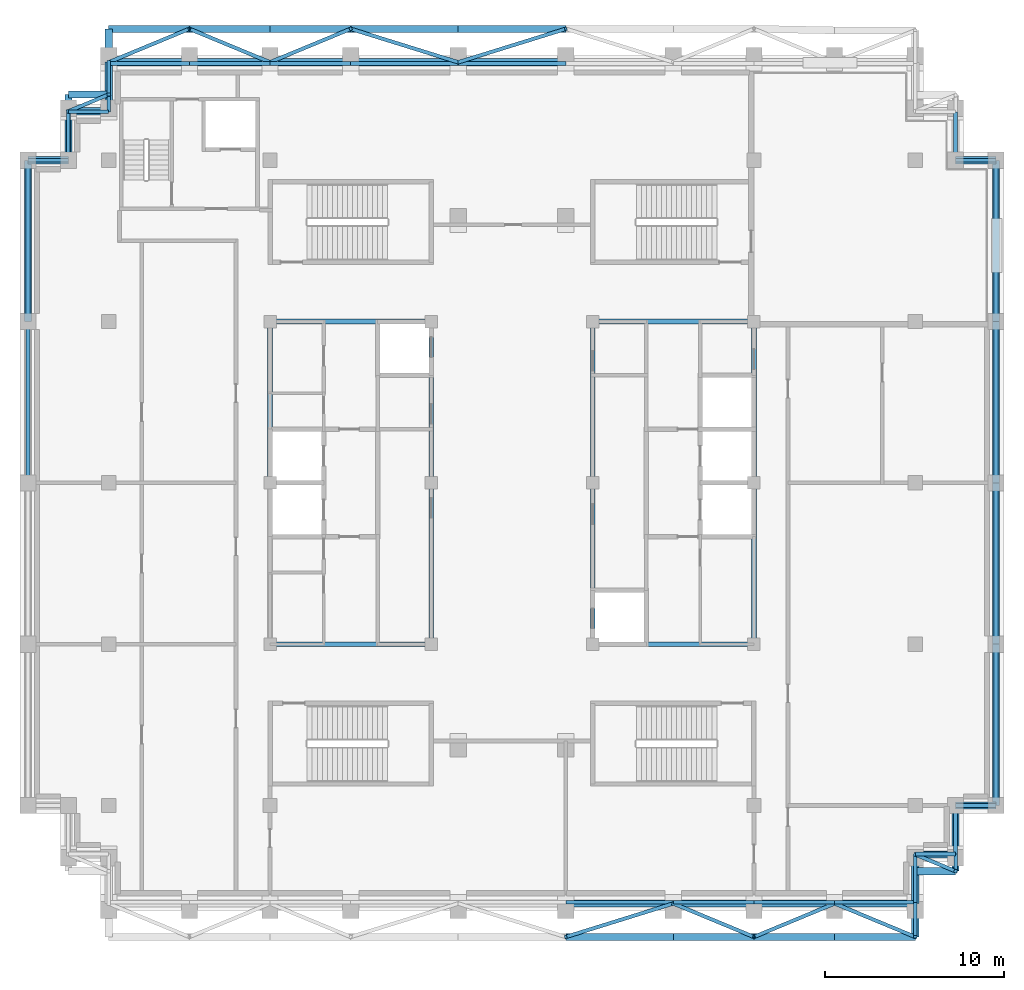
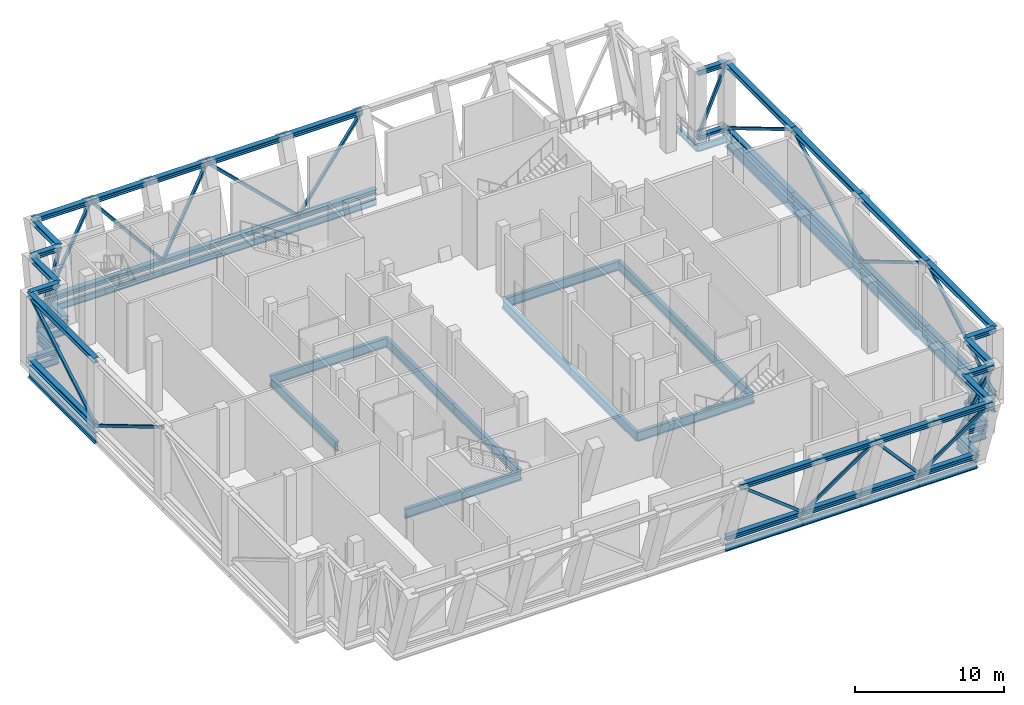
# One storey, part 2 of 9: 70 members, 35 beams.
"""IFC4 building model written with IfcOpenShell, lengths in metres."""

from ifc_helpers import new_model, si_unit, direction, frame, origin, origin_2d, place, context, subcontext, project, spatial, hollow_rectangle, i_section, extrude, material, material_profile, profile_set, type_object, element, save


model = new_model("IFC4")

# Units and contexts
model_context = context("Model", 3, precision=1e-05, world=origin(), true_north=direction((0.0, 1.0)))
body_context = subcontext(model_context, "Body", "Model", "MODEL_VIEW")
ifc_project = project(units=[si_unit("LENGTHUNIT", "METRE"), si_unit("AREAUNIT", "SQUARE_METRE"), si_unit("VOLUMEUNIT", "CUBIC_METRE"), si_unit("PLANEANGLEUNIT", "RADIAN"), si_unit("MASSUNIT", "GRAM", prefix="KILO")], contexts=[model_context])

# Site, building, storey
site_placement = place(None, origin())
site = spatial("IfcSite", under=ifc_project, at=site_placement, CompositionType="ELEMENT")
building_placement = place(site_placement, origin())
building = spatial("IfcBuilding", under=site, at=building_placement, Name="Corbelhall Arena Tower", CompositionType="ELEMENT")
storey_placement = place(building_placement, frame((0.0, 0.0, 320.0)))
storey = spatial("IfcBuildingStorey", under=building, at=storey_placement, Name="L70", CompositionType="ELEMENT", Elevation=320.0)

# Beams
ifc_material_1 = material(Name="Steel ASTM A992 Gr50", Category="steel")
ifc_material_profile_1 = material_profile(ifc_material_1, i_section(OverallWidth=0.2666015625, OverallDepth=0.761962890625, WebThickness=0.014404296875, FlangeThickness=0.021484375, at=origin_2d()))
ifc_profile_set_1 = profile_set([ifc_material_profile_1], Name="Steel ASTM A992 Gr50")
beam_type_1 = type_object("IfcBeamType", Name="ST-BEAM-W30x116", PredefinedType="BEAM", material=ifc_profile_set_1)
for number, where, z_axis, x_axis, name in (
    (1, (-13.5, 0.0, -0.791015625), (0.0, 1.0, 0.0), (-1.0, 0.0, 0.0), "Beam CEW 2"),
    (2, (-4.5, -9.0, -0.791015625), (0.0, 1.0, 0.0), (-1.0, 0.0, 0.0), "Beam CEW 3"),
    (3, (-4.5, 0.0, -0.791015625), (0.0, 1.0, 0.0), (-1.0, 0.0, 0.0), "Beam CEW 4"),
    (4, (-13.5, -9.0, -0.791015625), (1.0, 0.0, 0.0), (0.0, 1.0, 0.0), "Beam CEW 5"),
    (5, (-13.5, 9.0, -0.791015625), (1.0, 0.0, 0.0), (0.0, 1.0, 0.0), "Beam CEW 6"),
    (6, (4.5, -9.0, -0.791015625), (0.0, 1.0, 0.0), (-1.0, 0.0, 0.0), "Beam CEE 7"),
    (7, (4.5, 0.0, -0.791015625), (0.0, 1.0, 0.0), (-1.0, 0.0, 0.0), "Beam CEE 8"),
    (8, (13.5, -9.0, -0.791015625), (0.0, 1.0, 0.0), (-1.0, 0.0, 0.0), "Beam CEE 9"),
    (9, (13.5, 0.0, -0.791015625), (0.0, 1.0, 0.0), (-1.0, 0.0, 0.0), "Beam CEE 10"),
    (10, (4.5, -9.0, -0.791015625), (1.0, 0.0, 0.0), (0.0, 1.0, 0.0), "Beam CEE 11"),
    (11, (4.5, 9.0, -0.791015625), (1.0, 0.0, 0.0), (0.0, 1.0, 0.0), "Beam CEE 12"),
):
    element("IfcBeam", number, at=place(storey_placement, frame(where, z_axis=z_axis, x_axis=x_axis)), inside=storey, type_object=beam_type_1, Name=name, PredefinedType="BEAM", context=body_context, shape_type="SweptSolid", body=[
        extrude(i_section(OverallWidth=0.2666015625, OverallDepth=0.761962890625, WebThickness=0.014404296875, FlangeThickness=0.021484375, at=origin_2d()), origin(), (0.0, 0.0, 1.0), 9.0),
    ])

# Members
ifc_material_profile_2 = material_profile(ifc_material_1, i_section(OverallWidth=0.398681640625, OverallDepth=0.393798828125, WebThickness=0.022705078125, FlangeThickness=0.03662109375, at=origin_2d()))
ifc_profile_set_2 = profile_set([ifc_material_profile_2], Name="Steel ASTM A992 Gr50")
member_type_1 = type_object("IfcMemberType", Name="ST-CHORD-W14x193", PredefinedType="CHORD", material=ifc_profile_set_2)
for number, where, z_axis, x_axis, name in (
    (12, (27.0, 0.0, 0.19677734375), (0.0, -1.0, 0.0), (1.0, 0.0, 0.0), "Truss chord BC 1"),
    (13, (27.0, 0.0, 5.543212890625), (0.0, -1.0, 0.0), (1.0, 0.0, 0.0), "Truss chord TC 1"),
    (14, (27.0, 9.0, 0.19677734375), (0.0, -1.0, 0.0), (1.0, 0.0, 0.0), "Truss chord BC 2"),
    (15, (27.0, 9.0, 5.543212890625), (0.0, -1.0, 0.0), (1.0, 0.0, 0.0), "Truss chord TC 2"),
    (16, (27.0, 18.0, 0.19677734375), (0.0, -1.0, 0.0), (1.0, 0.0, 0.0), "Truss chord BC 3"),
    (17, (27.0, 18.0, 5.543212890625), (0.0, -1.0, 0.0), (1.0, 0.0, 0.0), "Truss chord TC 3"),
    (18, (27.0, -9.0, 0.19677734375), (0.0, -1.0, 0.0), (1.0, 0.0, 0.0), "Truss chord BC 4"),
    (19, (27.0, -9.0, 5.543212890625), (0.0, -1.0, 0.0), (1.0, 0.0, 0.0), "Truss chord TC 4"),
):
    element("IfcMember", number, at=place(storey_placement, frame(where, z_axis=z_axis, x_axis=x_axis)), inside=storey, type_object=member_type_1, Name=name, PredefinedType="CHORD", context=body_context, shape_type="SweptSolid", body=[
        extrude(i_section(OverallWidth=0.398681640625, OverallDepth=0.393798828125, WebThickness=0.022705078125, FlangeThickness=0.03662109375, at=origin_2d()), origin(), (0.0, 0.0, 1.0), 9.0),
    ])
for number, where, z_axis, x_axis, name in (
    (20, (27.0, -18.0, 0.19677734375), (-1.0, 0.0, 0.0), (0.0, -1.0, 0.0), "Truss chord BC 5"),
    (21, (27.0, -18.0, 5.543212890625), (-1.0, 0.0, 0.0), (0.0, -1.0, 0.0), "Truss chord TC 5"),
):
    element("IfcMember", number, at=place(storey_placement, frame(where, z_axis=z_axis, x_axis=x_axis)), inside=storey, type_object=member_type_1, Name=name, PredefinedType="CHORD", context=body_context, shape_type="SweptSolid", body=[
        extrude(i_section(OverallWidth=0.398681640625, OverallDepth=0.393798828125, WebThickness=0.022705078125, FlangeThickness=0.03662109375, at=origin_2d()), origin(), (0.0, 0.0, 1.0), 2.25),
    ])
for number, where, z_axis, x_axis, name in (
    (22, (-3.0, 23.468505859375, 0.19677734375), (1.0, 0.0, 0.0), (0.0, 1.0, 0.0), "Truss chord BC 11"),
    (23, (-3.0, 25.331298828125, 5.543212890625), (1.0, 0.0, 0.0), (0.0, 1.0, 0.0), "Truss chord TC 11"),
    (24, (-9.0, 23.468505859375, 0.19677734375), (1.0, 0.0, 0.0), (0.0, 1.0, 0.0), "Truss chord BC 12"),
    (25, (-9.0, 25.331298828125, 5.543212890625), (1.0, 0.0, 0.0), (0.0, 1.0, 0.0), "Truss chord TC 12"),
):
    element("IfcMember", number, at=place(storey_placement, frame(where, z_axis=z_axis, x_axis=x_axis)), inside=storey, type_object=member_type_1, Name=name, PredefinedType="CHORD", context=body_context, shape_type="SweptSolid", body=[
        extrude(i_section(OverallWidth=0.398681640625, OverallDepth=0.393798828125, WebThickness=0.022705078125, FlangeThickness=0.03662109375, at=origin_2d()), origin(), (0.0, 0.0, 1.0), 6.0),
    ])
for number, where, z_axis, x_axis, name in (
    (26, (-13.5, 23.468505859375, 0.19677734375), (1.0, 0.0, 0.0), (0.0, 1.0, 0.0), "Truss chord BC 13"),
    (27, (-13.5, 25.331298828125, 5.543212890625), (1.0, 0.0, 0.0), (0.0, 1.0, 0.0), "Truss chord TC 13"),
    (28, (-18.0, 23.468505859375, 0.19677734375), (1.0, 0.0, 0.0), (0.0, 1.0, 0.0), "Truss chord BC 14"),
    (29, (-18.0, 25.331298828125, 5.543212890625), (1.0, 0.0, 0.0), (0.0, 1.0, 0.0), "Truss chord TC 14"),
    (30, (-22.5, 23.468505859375, 0.19677734375), (1.0, 0.0, 0.0), (0.0, 1.0, 0.0), "Truss chord BC 15"),
    (31, (-22.5, 25.331298828125, 5.543212890625), (1.0, 0.0, 0.0), (0.0, 1.0, 0.0), "Truss chord TC 15"),
):
    element("IfcMember", number, at=place(storey_placement, frame(where, z_axis=z_axis, x_axis=x_axis)), inside=storey, type_object=member_type_1, Name=name, PredefinedType="CHORD", context=body_context, shape_type="SweptSolid", body=[
        extrude(i_section(OverallWidth=0.398681640625, OverallDepth=0.393798828125, WebThickness=0.022705078125, FlangeThickness=0.03662109375, at=origin_2d()), origin(), (0.0, 0.0, 1.0), 4.5),
    ])
for number, where, z_axis, x_axis, name in (
    (32, (9.0, -23.468505859375, 0.19677734375), (-1.0, 0.0, 0.0), (0.0, -1.0, 0.0), "Truss chord BC 17"),
    (33, (9.0, -25.331298828125, 5.543212890625), (-1.0, 0.0, 0.0), (0.0, -1.0, 0.0), "Truss chord TC 17"),
):
    element("IfcMember", number, at=place(storey_placement, frame(where, z_axis=z_axis, x_axis=x_axis)), inside=storey, type_object=member_type_1, Name=name, PredefinedType="CHORD", context=body_context, shape_type="SweptSolid", body=[
        extrude(i_section(OverallWidth=0.398681640625, OverallDepth=0.393798828125, WebThickness=0.022705078125, FlangeThickness=0.03662109375, at=origin_2d()), origin(), (0.0, 0.0, 1.0), 6.0),
    ])
for number, where, z_axis, x_axis, name in (
    (34, (13.5, -23.468505859375, 0.19677734375), (-1.0, 0.0, 0.0), (0.0, -1.0, 0.0), "Truss chord BC 18"),
    (35, (13.5, -25.331298828125, 5.543212890625), (-1.0, 0.0, 0.0), (0.0, -1.0, 0.0), "Truss chord TC 18"),
    (36, (18.0, -23.468505859375, 0.19677734375), (-1.0, 0.0, 0.0), (0.0, -1.0, 0.0), "Truss chord BC 19"),
    (37, (18.0, -25.331298828125, 5.543212890625), (-1.0, 0.0, 0.0), (0.0, -1.0, 0.0), "Truss chord TC 19"),
    (38, (22.5, -23.468505859375, 0.19677734375), (-1.0, 0.0, 0.0), (0.0, -1.0, 0.0), "Truss chord BC 20"),
    (39, (22.5, -25.331298828125, 5.543212890625), (-1.0, 0.0, 0.0), (0.0, -1.0, 0.0), "Truss chord TC 20"),
):
    element("IfcMember", number, at=place(storey_placement, frame(where, z_axis=z_axis, x_axis=x_axis)), inside=storey, type_object=member_type_1, Name=name, PredefinedType="CHORD", context=body_context, shape_type="SweptSolid", body=[
        extrude(i_section(OverallWidth=0.398681640625, OverallDepth=0.393798828125, WebThickness=0.022705078125, FlangeThickness=0.03662109375, at=origin_2d()), origin(), (0.0, 0.0, 1.0), 4.5),
    ])
for number, where, z_axis, x_axis, name in (
    (40, (-27.0, 9.0, 0.19677734375), (0.0, 1.0, 0.0), (-1.0, 0.0, 0.0), "Truss chord BC 27"),
    (41, (-27.0, 9.0, 5.543212890625), (0.0, 1.0, 0.0), (-1.0, 0.0, 0.0), "Truss chord TC 27"),
):
    element("IfcMember", number, at=place(storey_placement, frame(where, z_axis=z_axis, x_axis=x_axis)), inside=storey, type_object=member_type_1, Name=name, PredefinedType="CHORD", context=body_context, shape_type="SweptSolid", body=[
        extrude(i_section(OverallWidth=0.398681640625, OverallDepth=0.393798828125, WebThickness=0.022705078125, FlangeThickness=0.03662109375, at=origin_2d()), origin(), (0.0, 0.0, 1.0), 9.0),
    ])
for number, where, z_axis, x_axis, name in (
    (42, (-27.0, 18.0, 0.19677734375), (1.0, 0.0, 0.0), (0.0, 1.0, 0.0), "Truss chord BC 28"),
    (43, (-27.0, 18.0, 5.543212890625), (1.0, 0.0, 0.0), (0.0, 1.0, 0.0), "Truss chord TC 28"),
    (44, (24.75, 18.0, 0.19677734375), (1.0, 0.0, 0.0), (0.0, 1.0, 0.0), "Truss chord BC 33"),
    (45, (24.75, 18.0, 5.543212890625), (1.0, 0.0, 0.0), (0.0, 1.0, 0.0), "Truss chord TC 33"),
):
    element("IfcMember", number, at=place(storey_placement, frame(where, z_axis=z_axis, x_axis=x_axis)), inside=storey, type_object=member_type_1, Name=name, PredefinedType="CHORD", context=body_context, shape_type="SweptSolid", body=[
        extrude(i_section(OverallWidth=0.398681640625, OverallDepth=0.393798828125, WebThickness=0.022705078125, FlangeThickness=0.03662109375, at=origin_2d()), origin(), (0.0, 0.0, 1.0), 2.25),
    ])
member_1_placement = place(storey_placement, frame((-22.5, 20.734375, 0.19677734375), z_axis=(0.0, 1.0, 0.0), x_axis=(-1.0, 0.0, 0.0)))
element("IfcMember", 46, at=member_1_placement, inside=storey, type_object=member_type_1, Name="Truss chord BC 34", PredefinedType="CHORD", context=body_context, shape_type="SweptSolid", body=[
    extrude(i_section(OverallWidth=0.398681640625, OverallDepth=0.393798828125, WebThickness=0.022705078125, FlangeThickness=0.03662109375, at=origin_2d()), origin(), (0.0, 0.0, 1.0), 2.734130859375),
])
member_2_placement = place(storey_placement, frame((-22.5, 21.665771484375, 5.543212890625), z_axis=(0.0, 1.0, 0.0), x_axis=(-1.0, 0.0, 0.0)))
element("IfcMember", 47, at=member_2_placement, inside=storey, type_object=member_type_1, Name="Truss chord TC 34", PredefinedType="CHORD", context=body_context, shape_type="SweptSolid", body=[
    extrude(i_section(OverallWidth=0.398681640625, OverallDepth=0.393798828125, WebThickness=0.022705078125, FlangeThickness=0.03662109375, at=origin_2d()), origin(), (0.0, 0.0, 1.0), 3.66552734375),
])
for number, where, z_axis, x_axis, name in (
    (48, (-24.75, 20.734375, 0.19677734375), (1.0, 0.0, 0.0), (0.0, 1.0, 0.0), "Truss chord BC 35"),
    (49, (-24.75, 21.665771484375, 5.543212890625), (1.0, 0.0, 0.0), (0.0, 1.0, 0.0), "Truss chord TC 35"),
):
    element("IfcMember", number, at=place(storey_placement, frame(where, z_axis=z_axis, x_axis=x_axis)), inside=storey, type_object=member_type_1, Name=name, PredefinedType="CHORD", context=body_context, shape_type="SweptSolid", body=[
        extrude(i_section(OverallWidth=0.398681640625, OverallDepth=0.393798828125, WebThickness=0.022705078125, FlangeThickness=0.03662109375, at=origin_2d()), origin(), (0.0, 0.0, 1.0), 2.25),
    ])
member_3_placement = place(storey_placement, frame((-24.75, 18.0, 0.19677734375), z_axis=(0.0, 1.0, 0.0), x_axis=(-1.0, 0.0, 0.0)))
element("IfcMember", 50, at=member_3_placement, inside=storey, type_object=member_type_1, Name="Truss chord BC 36", PredefinedType="CHORD", context=body_context, shape_type="SweptSolid", body=[
    extrude(i_section(OverallWidth=0.398681640625, OverallDepth=0.393798828125, WebThickness=0.022705078125, FlangeThickness=0.03662109375, at=origin_2d()), origin(), (0.0, 0.0, 1.0), 2.734375),
])
member_4_placement = place(storey_placement, frame((-24.75, 18.0, 5.543212890625), z_axis=(0.0, 1.0, 0.0), x_axis=(-1.0, 0.0, 0.0)))
element("IfcMember", 51, at=member_4_placement, inside=storey, type_object=member_type_1, Name="Truss chord TC 36", PredefinedType="CHORD", context=body_context, shape_type="SweptSolid", body=[
    extrude(i_section(OverallWidth=0.398681640625, OverallDepth=0.393798828125, WebThickness=0.022705078125, FlangeThickness=0.03662109375, at=origin_2d()), origin(), (0.0, 0.0, 1.0), 3.665771484375),
])
member_5_placement = place(storey_placement, frame((22.5, -20.734375, 0.19677734375), z_axis=(0.0, -1.0, 0.0), x_axis=(1.0, 0.0, 0.0)))
element("IfcMember", 52, at=member_5_placement, inside=storey, type_object=member_type_1, Name="Truss chord BC 37", PredefinedType="CHORD", context=body_context, shape_type="SweptSolid", body=[
    extrude(i_section(OverallWidth=0.398681640625, OverallDepth=0.393798828125, WebThickness=0.022705078125, FlangeThickness=0.03662109375, at=origin_2d()), origin(), (0.0, 0.0, 1.0), 2.734130859375),
])
member_6_placement = place(storey_placement, frame((22.5, -21.665771484375, 5.543212890625), z_axis=(0.0, -1.0, 0.0), x_axis=(1.0, 0.0, 0.0)))
element("IfcMember", 53, at=member_6_placement, inside=storey, type_object=member_type_1, Name="Truss chord TC 37", PredefinedType="CHORD", context=body_context, shape_type="SweptSolid", body=[
    extrude(i_section(OverallWidth=0.398681640625, OverallDepth=0.393798828125, WebThickness=0.022705078125, FlangeThickness=0.03662109375, at=origin_2d()), origin(), (0.0, 0.0, 1.0), 3.66552734375),
])
for number, where, z_axis, x_axis, name in (
    (54, (24.75, -20.734375, 0.19677734375), (-1.0, 0.0, 0.0), (0.0, -1.0, 0.0), "Truss chord BC 38"),
    (55, (24.75, -21.665771484375, 5.543212890625), (-1.0, 0.0, 0.0), (0.0, -1.0, 0.0), "Truss chord TC 38"),
):
    element("IfcMember", number, at=place(storey_placement, frame(where, z_axis=z_axis, x_axis=x_axis)), inside=storey, type_object=member_type_1, Name=name, PredefinedType="CHORD", context=body_context, shape_type="SweptSolid", body=[
        extrude(i_section(OverallWidth=0.398681640625, OverallDepth=0.393798828125, WebThickness=0.022705078125, FlangeThickness=0.03662109375, at=origin_2d()), origin(), (0.0, 0.0, 1.0), 2.25),
    ])
member_7_placement = place(storey_placement, frame((24.75, -18.0, 0.19677734375), z_axis=(0.0, -1.0, 0.0), x_axis=(1.0, 0.0, 0.0)))
element("IfcMember", 56, at=member_7_placement, inside=storey, type_object=member_type_1, Name="Truss chord BC 39", PredefinedType="CHORD", context=body_context, shape_type="SweptSolid", body=[
    extrude(i_section(OverallWidth=0.398681640625, OverallDepth=0.393798828125, WebThickness=0.022705078125, FlangeThickness=0.03662109375, at=origin_2d()), origin(), (0.0, 0.0, 1.0), 2.734375),
])
member_8_placement = place(storey_placement, frame((24.75, -18.0, 5.543212890625), z_axis=(0.0, -1.0, 0.0), x_axis=(1.0, 0.0, 0.0)))
element("IfcMember", 57, at=member_8_placement, inside=storey, type_object=member_type_1, Name="Truss chord TC 39", PredefinedType="CHORD", context=body_context, shape_type="SweptSolid", body=[
    extrude(i_section(OverallWidth=0.398681640625, OverallDepth=0.393798828125, WebThickness=0.022705078125, FlangeThickness=0.03662109375, at=origin_2d()), origin(), (0.0, 0.0, 1.0), 3.665771484375),
])

# Beams
ifc_material_profile_3 = material_profile(ifc_material_1, i_section(OverallWidth=0.209228515625, OverallDepth=0.533447265625, WebThickness=0.01025390625, FlangeThickness=0.015625, at=origin_2d()))
ifc_profile_set_3 = profile_set([ifc_material_profile_3], Name="Steel ASTM A992 Gr50")
beam_type_2 = type_object("IfcBeamType", Name="ST-SPANDREL-W21x62", PredefinedType="SPANDREL", material=ifc_profile_set_3)
beam_1_placement = place(storey_placement, frame((27.0, -18.0, -0.6767578125), z_axis=(-1.0, 0.0, 0.0), x_axis=(0.0, -1.0, 0.0)))
element("IfcBeam", 58, at=beam_1_placement, inside=storey, type_object=beam_type_2, Name="Beam SP 5", PredefinedType="SPANDREL", context=body_context, shape_type="SweptSolid", body=[
    extrude(i_section(OverallWidth=0.209228515625, OverallDepth=0.533447265625, WebThickness=0.01025390625, FlangeThickness=0.015625, at=origin_2d()), origin(), (0.0, 0.0, 1.0), 2.25),
])
for number, where, z_axis, x_axis, name in (
    (59, (-3.0, 23.39990234375, -0.6767578125), (1.0, 0.0, 0.0), (0.0, 1.0, 0.0), "Beam SP 11"),
    (60, (-9.0, 23.39990234375, -0.6767578125), (1.0, 0.0, 0.0), (0.0, 1.0, 0.0), "Beam SP 12"),
):
    element("IfcBeam", number, at=place(storey_placement, frame(where, z_axis=z_axis, x_axis=x_axis)), inside=storey, type_object=beam_type_2, Name=name, PredefinedType="SPANDREL", context=body_context, shape_type="SweptSolid", body=[
        extrude(i_section(OverallWidth=0.209228515625, OverallDepth=0.533447265625, WebThickness=0.01025390625, FlangeThickness=0.015625, at=origin_2d()), origin(), (0.0, 0.0, 1.0), 6.0),
    ])
for number, where, z_axis, x_axis, name in (
    (61, (-13.5, 23.39990234375, -0.6767578125), (1.0, 0.0, 0.0), (0.0, 1.0, 0.0), "Beam SP 13"),
    (62, (-18.0, 23.39990234375, -0.6767578125), (1.0, 0.0, 0.0), (0.0, 1.0, 0.0), "Beam SP 14"),
    (63, (-22.5, 23.39990234375, -0.6767578125), (1.0, 0.0, 0.0), (0.0, 1.0, 0.0), "Beam SP 15"),
):
    element("IfcBeam", number, at=place(storey_placement, frame(where, z_axis=z_axis, x_axis=x_axis)), inside=storey, type_object=beam_type_2, Name=name, PredefinedType="SPANDREL", context=body_context, shape_type="SweptSolid", body=[
        extrude(i_section(OverallWidth=0.209228515625, OverallDepth=0.533447265625, WebThickness=0.01025390625, FlangeThickness=0.015625, at=origin_2d()), origin(), (0.0, 0.0, 1.0), 4.5),
    ])
beam_2_placement = place(storey_placement, frame((9.0, -23.39990234375, -0.6767578125), z_axis=(-1.0, 0.0, 0.0), x_axis=(0.0, -1.0, 0.0)))
element("IfcBeam", 64, at=beam_2_placement, inside=storey, type_object=beam_type_2, Name="Beam SP 17", PredefinedType="SPANDREL", context=body_context, shape_type="SweptSolid", body=[
    extrude(i_section(OverallWidth=0.209228515625, OverallDepth=0.533447265625, WebThickness=0.01025390625, FlangeThickness=0.015625, at=origin_2d()), origin(), (0.0, 0.0, 1.0), 6.0),
])
for number, where, z_axis, x_axis, name in (
    (65, (13.5, -23.39990234375, -0.6767578125), (-1.0, 0.0, 0.0), (0.0, -1.0, 0.0), "Beam SP 18"),
    (66, (18.0, -23.39990234375, -0.6767578125), (-1.0, 0.0, 0.0), (0.0, -1.0, 0.0), "Beam SP 19"),
    (67, (22.5, -23.39990234375, -0.6767578125), (-1.0, 0.0, 0.0), (0.0, -1.0, 0.0), "Beam SP 20"),
):
    element("IfcBeam", number, at=place(storey_placement, frame(where, z_axis=z_axis, x_axis=x_axis)), inside=storey, type_object=beam_type_2, Name=name, PredefinedType="SPANDREL", context=body_context, shape_type="SweptSolid", body=[
        extrude(i_section(OverallWidth=0.209228515625, OverallDepth=0.533447265625, WebThickness=0.01025390625, FlangeThickness=0.015625, at=origin_2d()), origin(), (0.0, 0.0, 1.0), 4.5),
    ])
beam_3_placement = place(storey_placement, frame((-27.0, 18.0, -0.6767578125), z_axis=(1.0, 0.0, 0.0), x_axis=(0.0, 1.0, 0.0)))
element("IfcBeam", 68, at=beam_3_placement, inside=storey, type_object=beam_type_2, Name="Beam SP 28", PredefinedType="SPANDREL", context=body_context, shape_type="SweptSolid", body=[
    extrude(i_section(OverallWidth=0.209228515625, OverallDepth=0.533447265625, WebThickness=0.01025390625, FlangeThickness=0.015625, at=origin_2d()), origin(), (0.0, 0.0, 1.0), 2.25),
])
beam_4_placement = place(storey_placement, frame((24.75, 20.699951171875, -0.6767578125), z_axis=(0.0, -1.0, 0.0), x_axis=(1.0, 0.0, 0.0)))
element("IfcBeam", 69, at=beam_4_placement, inside=storey, type_object=beam_type_2, Name="Beam SP 32", PredefinedType="SPANDREL", context=body_context, shape_type="SweptSolid", body=[
    extrude(i_section(OverallWidth=0.209228515625, OverallDepth=0.533447265625, WebThickness=0.01025390625, FlangeThickness=0.015625, at=origin_2d()), origin(), (0.0, 0.0, 1.0), 2.699951171875),
])
beam_5_placement = place(storey_placement, frame((24.75, 18.0, -0.6767578125), z_axis=(1.0, 0.0, 0.0), x_axis=(0.0, 1.0, 0.0)))
element("IfcBeam", 70, at=beam_5_placement, inside=storey, type_object=beam_type_2, Name="Beam SP 33", PredefinedType="SPANDREL", context=body_context, shape_type="SweptSolid", body=[
    extrude(i_section(OverallWidth=0.209228515625, OverallDepth=0.533447265625, WebThickness=0.01025390625, FlangeThickness=0.015625, at=origin_2d()), origin(), (0.0, 0.0, 1.0), 2.25),
])
beam_6_placement = place(storey_placement, frame((-22.5, 20.699951171875, -0.6767578125), z_axis=(0.0, 1.0, 0.0), x_axis=(-1.0, 0.0, 0.0)))
element("IfcBeam", 71, at=beam_6_placement, inside=storey, type_object=beam_type_2, Name="Beam SP 34", PredefinedType="SPANDREL", context=body_context, shape_type="SweptSolid", body=[
    extrude(i_section(OverallWidth=0.209228515625, OverallDepth=0.533447265625, WebThickness=0.01025390625, FlangeThickness=0.015625, at=origin_2d()), origin(), (0.0, 0.0, 1.0), 2.699951171875),
])
beam_7_placement = place(storey_placement, frame((-24.75, 20.699951171875, -0.6767578125), z_axis=(1.0, 0.0, 0.0), x_axis=(0.0, 1.0, 0.0)))
element("IfcBeam", 72, at=beam_7_placement, inside=storey, type_object=beam_type_2, Name="Beam SP 35", PredefinedType="SPANDREL", context=body_context, shape_type="SweptSolid", body=[
    extrude(i_section(OverallWidth=0.209228515625, OverallDepth=0.533447265625, WebThickness=0.01025390625, FlangeThickness=0.015625, at=origin_2d()), origin(), (0.0, 0.0, 1.0), 2.25),
])
for number, where, z_axis, x_axis, name in (
    (73, (-24.75, 18.0, -0.6767578125), (0.0, 1.0, 0.0), (-1.0, 0.0, 0.0), "Beam SP 36"),
    (74, (22.5, -20.699951171875, -0.6767578125), (0.0, -1.0, 0.0), (1.0, 0.0, 0.0), "Beam SP 37"),
):
    element("IfcBeam", number, at=place(storey_placement, frame(where, z_axis=z_axis, x_axis=x_axis)), inside=storey, type_object=beam_type_2, Name=name, PredefinedType="SPANDREL", context=body_context, shape_type="SweptSolid", body=[
        extrude(i_section(OverallWidth=0.209228515625, OverallDepth=0.533447265625, WebThickness=0.01025390625, FlangeThickness=0.015625, at=origin_2d()), origin(), (0.0, 0.0, 1.0), 2.699951171875),
    ])
beam_8_placement = place(storey_placement, frame((24.75, -20.699951171875, -0.6767578125), z_axis=(-1.0, 0.0, 0.0), x_axis=(0.0, -1.0, 0.0)))
element("IfcBeam", 75, at=beam_8_placement, inside=storey, type_object=beam_type_2, Name="Beam SP 38", PredefinedType="SPANDREL", context=body_context, shape_type="SweptSolid", body=[
    extrude(i_section(OverallWidth=0.209228515625, OverallDepth=0.533447265625, WebThickness=0.01025390625, FlangeThickness=0.015625, at=origin_2d()), origin(), (0.0, 0.0, 1.0), 2.25),
])
beam_9_placement = place(storey_placement, frame((24.75, -18.0, -0.6767578125), z_axis=(0.0, -1.0, 0.0), x_axis=(1.0, 0.0, 0.0)))
element("IfcBeam", 76, at=beam_9_placement, inside=storey, type_object=beam_type_2, Name="Beam SP 39", PredefinedType="SPANDREL", context=body_context, shape_type="SweptSolid", body=[
    extrude(i_section(OverallWidth=0.209228515625, OverallDepth=0.533447265625, WebThickness=0.01025390625, FlangeThickness=0.015625, at=origin_2d()), origin(), (0.0, 0.0, 1.0), 2.699951171875),
])
ifc_material_profile_4 = material_profile(ifc_material_1, i_section(OverallWidth=0.2919921875, OverallDepth=0.845703125, WebThickness=0.015380859375, FlangeThickness=0.0244140625, at=origin_2d()))
ifc_profile_set_4 = profile_set([ifc_material_profile_4], Name="Steel ASTM A992 Gr50")
beam_type_3 = type_object("IfcBeamType", Name="ST-SPANDREL-W33x141", PredefinedType="SPANDREL", material=ifc_profile_set_4)
for number, where, z_axis, x_axis, name in (
    (77, (27.0, 0.0, -0.8330078125), (0.0, -1.0, 0.0), (1.0, 0.0, 0.0), "Beam SP 1"),
    (78, (27.0, 9.0, -0.8330078125), (0.0, -1.0, 0.0), (1.0, 0.0, 0.0), "Beam SP 2"),
    (79, (27.0, 18.0, -0.8330078125), (0.0, -1.0, 0.0), (1.0, 0.0, 0.0), "Beam SP 3"),
    (80, (27.0, -9.0, -0.8330078125), (0.0, -1.0, 0.0), (1.0, 0.0, 0.0), "Beam SP 4"),
    (81, (-27.0, 9.0, -0.8330078125), (0.0, 1.0, 0.0), (-1.0, 0.0, 0.0), "Beam SP 27"),
):
    element("IfcBeam", number, at=place(storey_placement, frame(where, z_axis=z_axis, x_axis=x_axis)), inside=storey, type_object=beam_type_3, Name=name, PredefinedType="SPANDREL", context=body_context, shape_type="SweptSolid", body=[
        extrude(i_section(OverallWidth=0.2919921875, OverallDepth=0.845703125, WebThickness=0.015380859375, FlangeThickness=0.0244140625, at=origin_2d()), origin(), (0.0, 0.0, 1.0), 9.0),
    ])

# Members
ifc_material_2 = material(Name="Steel ASTM A500 Gr C", Category="steel")
ifc_material_profile_5 = material_profile(ifc_material_2, hollow_rectangle(XDim=0.203125, YDim=0.203125, WallThickness=0.0087890625, at=origin_2d()))
ifc_profile_set_5 = profile_set([ifc_material_profile_5], Name="Steel ASTM A500 Gr C")
member_type_2 = type_object("IfcMemberType", Name="ST-STRUT-HSS8x8x3/8", PredefinedType="STRUT", material=ifc_profile_set_5)
for number, where, z_axis, x_axis, name in (
    (82, (27.0, 0.0, 0.19677734375), (0.0, -0.859742103775, 0.510728416085), (1.0, 0.0, 0.0), "Truss diagonal 1"),
    (83, (27.0, 0.0, 0.19677734375), (0.0, 0.859742103775, 0.510728416085), (-1.0, 0.0, 0.0), "Truss diagonal 2"),
    (84, (27.0, 18.0, 0.19677734375), (0.0, -0.859742103775, 0.510728416085), (1.0, 0.0, 0.0), "Truss diagonal 3"),
    (85, (27.0, -18.0, 0.19677734375), (0.0, 0.859742103775, 0.510728416085), (-1.0, 0.0, 0.0), "Truss diagonal 4"),
):
    element("IfcMember", number, at=place(storey_placement, frame(where, z_axis=z_axis, x_axis=x_axis)), inside=storey, type_object=member_type_2, Name=name, PredefinedType="STRUT", context=body_context, shape_type="SweptSolid", body=[
        extrude(hollow_rectangle(XDim=0.203125, YDim=0.203125, WallThickness=0.0087890625, at=origin_2d()), origin(), (0.0, 0.0, 1.0), 10.46826171875),
    ])
member_9_placement = place(storey_placement, frame((27.0, -18.0, 0.19677734375), z_axis=(-0.387891411065, 0.0, 0.921705079308), x_axis=(0.0, -1.0, 0.0)))
element("IfcMember", 86, at=member_9_placement, inside=storey, type_object=member_type_2, Name="Truss diagonal 5", PredefinedType="STRUT", context=body_context, shape_type="SweptSolid", body=[
    extrude(hollow_rectangle(XDim=0.203125, YDim=0.203125, WallThickness=0.0087890625, at=origin_2d()), origin(), (0.0, 0.0, 1.0), 5.800537109375),
])
for number, where, z_axis, x_axis, name in (
    (87, (-3.0, 23.468505859375, 0.19677734375), (0.72731616343, 0.225806572549, 0.64809149833), (-0.296504329853, 0.955031508579, 0.0), "Truss diagonal 11"),
    (88, (-3.0, 23.468505859375, 0.19677734375), (-0.72731616343, 0.225806572549, 0.64809149833), (-0.296504329853, -0.955031508579, 0.0), "Truss diagonal 12"),
):
    element("IfcMember", number, at=place(storey_placement, frame(where, z_axis=z_axis, x_axis=x_axis)), inside=storey, type_object=member_type_2, Name=name, PredefinedType="STRUT", context=body_context, shape_type="SweptSolid", body=[
        extrude(hollow_rectangle(XDim=0.203125, YDim=0.203125, WallThickness=0.0087890625, at=origin_2d()), origin(), (0.0, 0.0, 1.0), 8.24951171875),
    ])
for number, where, z_axis, x_axis, name in (
    (89, (-13.5, 23.468505859375, 0.19677734375), (0.622219364782, 0.257570190608, 0.73925682885), (-0.382478712885, 0.923964303526, 0.0), "Truss diagonal 13"),
    (90, (-13.5, 23.468505859375, 0.19677734375), (-0.622219364782, 0.257570190608, 0.73925682885), (-0.382478712885, -0.923964303526, 0.0), "Truss diagonal 14"),
    (91, (-22.5, 23.468505859375, 0.19677734375), (0.622219364782, 0.257570190608, 0.73925682885), (-0.382478712885, 0.923964303526, 0.0), "Truss diagonal 15"),
):
    element("IfcMember", number, at=place(storey_placement, frame(where, z_axis=z_axis, x_axis=x_axis)), inside=storey, type_object=member_type_2, Name=name, PredefinedType="STRUT", context=body_context, shape_type="SweptSolid", body=[
        extrude(hollow_rectangle(XDim=0.203125, YDim=0.203125, WallThickness=0.0087890625, at=origin_2d()), origin(), (0.0, 0.0, 1.0), 7.232177734375),
    ])
member_10_placement = place(storey_placement, frame((9.0, -23.468505859375, 0.19677734375), z_axis=(-0.72731616343, -0.225806572549, 0.64809149833), x_axis=(0.296504329853, -0.955031508579, 0.0)))
element("IfcMember", 92, at=member_10_placement, inside=storey, type_object=member_type_2, Name="Truss diagonal 17", PredefinedType="STRUT", context=body_context, shape_type="SweptSolid", body=[
    extrude(hollow_rectangle(XDim=0.203125, YDim=0.203125, WallThickness=0.0087890625, at=origin_2d()), origin(), (0.0, 0.0, 1.0), 8.24951171875),
])
for number, where, z_axis, x_axis, name in (
    (93, (9.0, -23.468505859375, 0.19677734375), (0.622219364782, -0.257570190608, 0.73925682885), (0.382478712885, 0.923964303526, 0.0), "Truss diagonal 18"),
    (94, (18.0, -23.468505859375, 0.19677734375), (-0.622219364782, -0.257570190608, 0.73925682885), (0.382478712885, -0.923964303526, 0.0), "Truss diagonal 19"),
    (95, (18.0, -23.468505859375, 0.19677734375), (0.622219364782, -0.257570190608, 0.73925682885), (0.382478712885, 0.923964303526, 0.0), "Truss diagonal 20"),
):
    element("IfcMember", number, at=place(storey_placement, frame(where, z_axis=z_axis, x_axis=x_axis)), inside=storey, type_object=member_type_2, Name=name, PredefinedType="STRUT", context=body_context, shape_type="SweptSolid", body=[
        extrude(hollow_rectangle(XDim=0.203125, YDim=0.203125, WallThickness=0.0087890625, at=origin_2d()), origin(), (0.0, 0.0, 1.0), 7.232177734375),
    ])
for number, where, z_axis, x_axis, name in (
    (96, (-27.0, 9.0, 0.19677734375), (0.0, -0.859742103775, 0.510728416085), (1.0, 0.0, 0.0), "Truss diagonal 26"),
    (97, (-27.0, 9.0, 0.19677734375), (0.0, 0.859742103775, 0.510728416085), (-1.0, 0.0, 0.0), "Truss diagonal 27"),
):
    element("IfcMember", number, at=place(storey_placement, frame(where, z_axis=z_axis, x_axis=x_axis)), inside=storey, type_object=member_type_2, Name=name, PredefinedType="STRUT", context=body_context, shape_type="SweptSolid", body=[
        extrude(hollow_rectangle(XDim=0.203125, YDim=0.203125, WallThickness=0.0087890625, at=origin_2d()), origin(), (0.0, 0.0, 1.0), 10.46826171875),
    ])
for number, where, z_axis, x_axis, name in (
    (98, (-24.75, 18.0, 0.19677734375), (-0.387891411065, 0.0, 0.921705079308), (0.0, -1.0, 0.0), "Truss diagonal 28"),
    (99, (24.75, 18.0, 0.19677734375), (0.387891411065, 0.0, 0.921705079308), (0.0, 1.0, 0.0), "Truss diagonal 33"),
):
    element("IfcMember", number, at=place(storey_placement, frame(where, z_axis=z_axis, x_axis=x_axis)), inside=storey, type_object=member_type_2, Name=name, PredefinedType="STRUT", context=body_context, shape_type="SweptSolid", body=[
        extrude(hollow_rectangle(XDim=0.203125, YDim=0.203125, WallThickness=0.0087890625, at=origin_2d()), origin(), (0.0, 0.0, 1.0), 5.800537109375),
    ])
member_11_placement = place(storey_placement, frame((-22.5, 23.468505859375, 0.19677734375), z_axis=(0.0, -0.319510109597, 0.947582867018), x_axis=(1.0, 0.0, 0.0)))
element("IfcMember", 100, at=member_11_placement, inside=storey, type_object=member_type_2, Name="Truss diagonal 34", PredefinedType="STRUT", context=body_context, shape_type="SweptSolid", body=[
    extrude(hollow_rectangle(XDim=0.203125, YDim=0.203125, WallThickness=0.0087890625, at=origin_2d()), origin(), (0.0, 0.0, 1.0), 5.64208984375),
])
member_12_placement = place(storey_placement, frame((-24.75, 20.734375, 0.19677734375), z_axis=(0.38298567252, 0.158538448423, 0.910048094892), x_axis=(-0.382478712885, 0.923964303526, 0.0)))
element("IfcMember", 101, at=member_12_placement, inside=storey, type_object=member_type_2, Name="Truss diagonal 35", PredefinedType="STRUT", context=body_context, shape_type="SweptSolid", body=[
    extrude(hollow_rectangle(XDim=0.203125, YDim=0.203125, WallThickness=0.0087890625, at=origin_2d()), origin(), (0.0, 0.0, 1.0), 5.875),
])
member_13_placement = place(storey_placement, frame((-24.75, 20.734375, 0.19677734375), z_axis=(0.0, -0.455342418252, 0.890316394402), x_axis=(1.0, 0.0, 0.0)))
element("IfcMember", 102, at=member_13_placement, inside=storey, type_object=member_type_2, Name="Truss diagonal 36", PredefinedType="STRUT", context=body_context, shape_type="SweptSolid", body=[
    extrude(hollow_rectangle(XDim=0.203125, YDim=0.203125, WallThickness=0.0087890625, at=origin_2d()), origin(), (0.0, 0.0, 1.0), 6.005126953125),
])
member_14_placement = place(storey_placement, frame((22.5, -20.734375, 0.19677734375), z_axis=(0.0, -0.651956862067, 0.758256058336), x_axis=(1.0, 0.0, 0.0)))
element("IfcMember", 103, at=member_14_placement, inside=storey, type_object=member_type_2, Name="Truss diagonal 37", PredefinedType="STRUT", context=body_context, shape_type="SweptSolid", body=[
    extrude(hollow_rectangle(XDim=0.203125, YDim=0.203125, WallThickness=0.0087890625, at=origin_2d()), origin(), (0.0, 0.0, 1.0), 7.051025390625),
])
member_15_placement = place(storey_placement, frame((22.5, -20.734375, 0.19677734375), z_axis=(0.38298567252, -0.158538448423, 0.910048094892), x_axis=(0.382478712885, 0.923964303526, 0.0)))
element("IfcMember", 104, at=member_15_placement, inside=storey, type_object=member_type_2, Name="Truss diagonal 38", PredefinedType="STRUT", context=body_context, shape_type="SweptSolid", body=[
    extrude(hollow_rectangle(XDim=0.203125, YDim=0.203125, WallThickness=0.0087890625, at=origin_2d()), origin(), (0.0, 0.0, 1.0), 5.875),
])
member_16_placement = place(storey_placement, frame((24.75, -18.0, 0.19677734375), z_axis=(0.0, -0.565491027817, 0.824754446765), x_axis=(1.0, 0.0, 0.0)))
element("IfcMember", 105, at=member_16_placement, inside=storey, type_object=member_type_2, Name="Truss diagonal 39", PredefinedType="STRUT", context=body_context, shape_type="SweptSolid", body=[
    extrude(hollow_rectangle(XDim=0.203125, YDim=0.203125, WallThickness=0.0087890625, at=origin_2d()), origin(), (0.0, 0.0, 1.0), 6.482421875),
])

save(model, "model.ifc")
